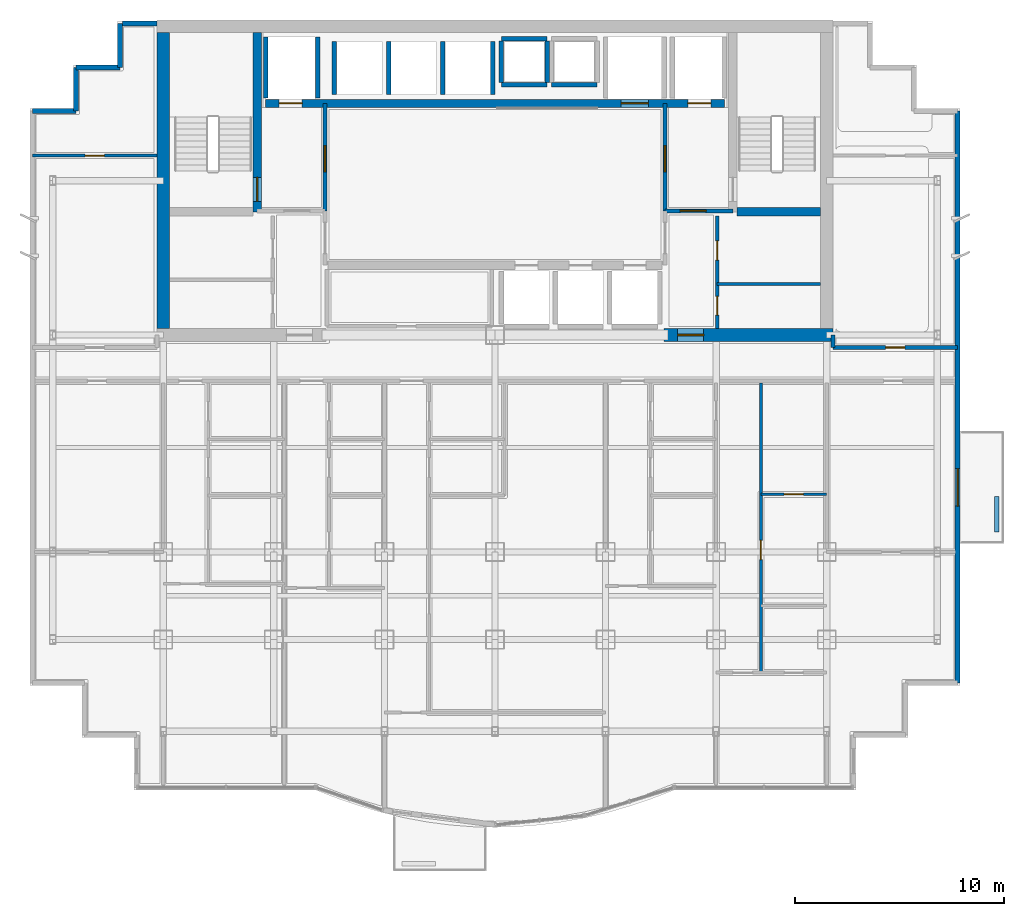
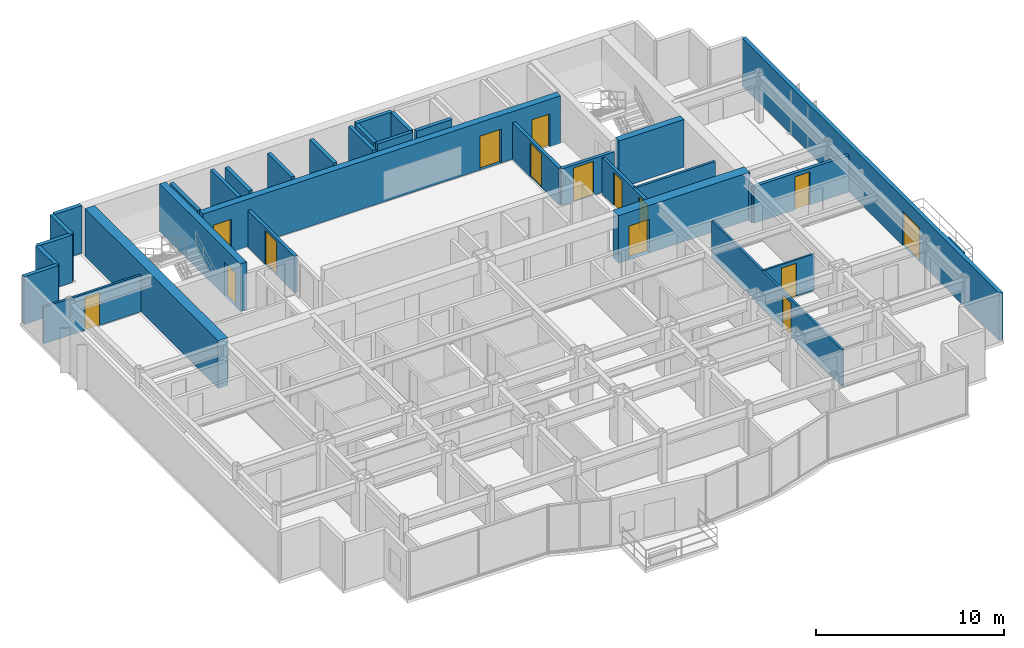
# One storey, part 8 of 11: 33 walls, 15 doors, 15 openings.
"""IFC4 building model written with IfcOpenShell, lengths in metres."""

from ifc_helpers import new_model, si_unit, direction, frame, frame_2d, origin, place, context, subcontext, project, spatial, rectangle, extrude, material, layer, layer_set, type_object, element, fill, save


model = new_model("IFC4")

# Units and contexts
model_context = context("Model", 3, precision=1e-05, world=origin(), true_north=direction((0.0, 1.0)))
body_context = subcontext(model_context, "Body", "Model", "MODEL_VIEW")
ifc_project = project(units=[si_unit("LENGTHUNIT", "METRE"), si_unit("AREAUNIT", "SQUARE_METRE"), si_unit("VOLUMEUNIT", "CUBIC_METRE"), si_unit("PLANEANGLEUNIT", "RADIAN"), si_unit("MASSUNIT", "GRAM", prefix="KILO")], contexts=[model_context])

# Site, building, storey
site_placement = place(None, origin())
site = spatial("IfcSite", under=ifc_project, at=site_placement, CompositionType="ELEMENT")
building_placement = place(site_placement, origin())
building = spatial("IfcBuilding", under=site, at=building_placement, Name="Qianlan Lanfeng Residences", CompositionType="ELEMENT")
storey_placement = place(building_placement, frame((0.0, 0.0, 145.800048828125)))
storey = spatial("IfcBuildingStorey", under=building, at=storey_placement, Name="L39", CompositionType="ELEMENT", Elevation=145.800048828125)

# Wall, opening, door
ifc_material_1 = material(Name="Concrete C56", Category="concrete")
ifc_layer_1 = layer(ifc_material_1, 0.39990234375)
ifc_layer_set_1 = layer_set([ifc_layer_1], Name="Concrete C56")
wall_type_1 = type_object("IfcWallType", Name="CW-RC-400", PredefinedType="SHEAR", material=ifc_layer_set_1)
wall_1_placement = place(storey_placement, frame((15.10009765625, 31.10009765625, 0.0), z_axis=(0.0, 0.0, 1.0), x_axis=(0.0, 1.0, 0.0)))
wall_1 = element("IfcWall", 1, at=wall_1_placement, inside=storey, type_object=wall_type_1, Name="L39 Core Shear Wall ST1E", PredefinedType="SHEAR", context=body_context, shape_type="SweptSolid", body=[
    extrude(rectangle(XDim=8.599853515625, YDim=0.39990234375, at=frame_2d((4.2998046875, 0.0))), origin(), (0.0, 0.0, 1.0), 3.099853515625),
])
opening_1_placement = place(wall_1_placement, frame((0.510009765625, 0.0, 0.0)))
opening_1 = element("IfcOpeningElement", 2, at=opening_1_placement, cuts=wall_1, Name="Opening L39-D07", PredefinedType="OPENING", context=body_context, shape_type="SweptSolid", body=[
    extrude(rectangle(XDim=1.14990234375, YDim=2.199951171875, at=frame_2d((0.574951171875, 1.10009765625))), frame((0.0, 0.2099609375, 0.0), z_axis=(0.0, -1.0, 0.0), x_axis=(1.0, 0.0, 0.0)), (0.0, 0.0, 1.0), 0.419921875),
])
ifc_material_2 = material(Name="Painted Galvanised Steel Fire Door", Category="steel")
door_type_1 = type_object("IfcDoorType", Name="DT-ST1", OperationType="NOTDEFINED", PredefinedType="DOOR", material=ifc_material_2)
door_1_placement = place(opening_1_placement, frame((1.14990234375, 0.0, 0.0), z_axis=(0.0, 0.0, 1.0), x_axis=(-1.0, 0.0, 0.0)))
door_1 = element("IfcDoor", 3, at=door_1_placement, inside=storey, type_object=door_type_1, Name="L39 Exit Stair ST-1 Door L39-D07 (DT-ST1)", OperationType="SINGLE_SWING_RIGHT", OverallHeight=2.199951171875, OverallWidth=1.14990234375, PredefinedType="DOOR", context=body_context, shape_type="SweptSolid", body=[
    extrude(rectangle(XDim=1.14990234375, YDim=2.199951171875, at=frame_2d((0.574951171875, 1.10009765625))), frame((0.0, 0.02490234375, 0.0), z_axis=(0.0, -1.0, 0.0), x_axis=(1.0, 0.0, 0.0)), (0.0, 0.0, 1.0), 0.050048828125),
])
fill(opening_1, door_1)

# Wall
wall_2_placement = place(storey_placement, frame((38.10009765625, 31.10009765625, 0.0), z_axis=(0.0, 0.0, 1.0), x_axis=(1.0, 0.0, 0.0)))
element("IfcWall", 4, at=wall_2_placement, inside=storey, type_object=wall_type_1, Name="L39 Core Shear Wall ST2S", PredefinedType="SHEAR", context=body_context, shape_type="SweptSolid", body=[
    extrude(rectangle(XDim=4.0, YDim=0.39990234375, at=frame_2d((2.0, 0.0))), origin(), (0.0, 0.0, 1.0), 3.099853515625),
])

# Wall, openings, doors
wall_3_placement = place(storey_placement, frame((15.5, 36.300048828125, 0.0), z_axis=(0.0, 0.0, 1.0), x_axis=(1.0, 0.0, 0.0)))
wall_3 = element("IfcWall", 5, at=wall_3_placement, inside=storey, type_object=wall_type_1, Name="L39 Core Shear Wall LBN", PredefinedType="SHEAR", context=body_context, shape_type="SweptSolid", body=[
    extrude(rectangle(XDim=22.0, YDim=0.39990234375, at=frame_2d((11.0, 0.0))), origin(), (0.0, 0.0, 1.0), 3.099853515625),
])
opening_2_placement = place(wall_3_placement, frame((0.64990234375, 0.0, 0.0)))
opening_2 = element("IfcOpeningElement", 6, at=opening_2_placement, cuts=wall_3, Name="Opening L39-LD-FFL-1", PredefinedType="OPENING", context=body_context, shape_type="SweptSolid", body=[
    extrude(rectangle(XDim=1.10009765625, YDim=2.14990234375, at=frame_2d((0.550048828125, 1.074951171875))), frame((0.0, 0.2099609375, 0.0), z_axis=(0.0, -1.0, 0.0), x_axis=(1.0, 0.0, 0.0)), (0.0, 0.0, 1.0), 0.419921875),
])
opening_3_placement = place(wall_3_placement, frame((20.25, 0.0, 0.0)))
opening_3 = element("IfcOpeningElement", 7, at=opening_3_placement, cuts=wall_3, Name="Opening L39-LD-FFL-2", PredefinedType="OPENING", context=body_context, shape_type="SweptSolid", body=[
    extrude(rectangle(XDim=1.10009765625, YDim=2.14990234375, at=frame_2d((0.550048828125, 1.074951171875))), frame((0.0, 0.2099609375, 0.0), z_axis=(0.0, -1.0, 0.0), x_axis=(1.0, 0.0, 0.0)), (0.0, 0.0, 1.0), 0.419921875),
])
opening_4_placement = place(wall_3_placement, frame((17.050048828125, 0.0, 0.0)))
opening_4 = element("IfcOpeningElement", 8, at=opening_4_placement, cuts=wall_3, Name="Opening L39-LD-SVL-1", PredefinedType="OPENING", context=body_context, shape_type="SweptSolid", body=[
    extrude(rectangle(XDim=1.300048828125, YDim=2.199951171875, at=frame_2d((0.64990234375, 1.10009765625))), frame((0.0, 0.2099609375, 0.0), z_axis=(0.0, -1.0, 0.0), x_axis=(1.0, 0.0, 0.0)), (0.0, 0.0, 1.0), 0.419921875),
])
ifc_material_3 = material(Name="Brushed Stainless Steel Sliding Lift Door", Category="steel")
door_type_2 = type_object("IfcDoorType", Name="LD-01", OperationType="NOTDEFINED", PredefinedType="DOOR", material=ifc_material_3)
door_2_placement = place(opening_2_placement, frame((1.10009765625, 0.0, 0.0), z_axis=(0.0, 0.0, 1.0), x_axis=(-1.0, 0.0, 0.0)))
door_2 = element("IfcDoor", 9, at=door_2_placement, inside=storey, type_object=door_type_2, Name="L39 Elevator FFL-1 Sliding Landing Door", OperationType="DOUBLE_DOOR_SLIDING", OverallHeight=2.14990234375, OverallWidth=1.10009765625, PredefinedType="DOOR", context=body_context, shape_type="SweptSolid", body=[
    extrude(rectangle(XDim=1.10009765625, YDim=2.14990234375, at=frame_2d((0.550048828125, 1.074951171875))), frame((0.0, 0.02490234375, 0.0), z_axis=(0.0, -1.0, 0.0), x_axis=(1.0, 0.0, 0.0)), (0.0, 0.0, 1.0), 0.050048828125),
])
fill(opening_2, door_2)
door_3_placement = place(opening_3_placement, frame((1.10009765625, 0.0, 0.0), z_axis=(0.0, 0.0, 1.0), x_axis=(-1.0, 0.0, 0.0)))
door_3 = element("IfcDoor", 10, at=door_3_placement, inside=storey, type_object=door_type_2, Name="L39 Elevator FFL-2 Sliding Landing Door", OperationType="DOUBLE_DOOR_SLIDING", OverallHeight=2.14990234375, OverallWidth=1.10009765625, PredefinedType="DOOR", context=body_context, shape_type="SweptSolid", body=[
    extrude(rectangle(XDim=1.10009765625, YDim=2.14990234375, at=frame_2d((0.550048828125, 1.074951171875))), frame((0.0, 0.02490234375, 0.0), z_axis=(0.0, -1.0, 0.0), x_axis=(1.0, 0.0, 0.0)), (0.0, 0.0, 1.0), 0.050048828125),
])
fill(opening_3, door_3)
door_type_3 = type_object("IfcDoorType", Name="LD-02", OperationType="NOTDEFINED", PredefinedType="DOOR", material=ifc_material_3)
door_4_placement = place(opening_4_placement, frame((1.300048828125, 0.0, 0.0), z_axis=(0.0, 0.0, 1.0), x_axis=(-1.0, 0.0, 0.0)))
door_4 = element("IfcDoor", 11, at=door_4_placement, inside=storey, type_object=door_type_3, Name="L39 Elevator SVL-1 Sliding Landing Door", OperationType="DOUBLE_DOOR_SLIDING", OverallHeight=2.199951171875, OverallWidth=1.300048828125, PredefinedType="DOOR", context=body_context, shape_type="SweptSolid", body=[
    extrude(rectangle(XDim=1.300048828125, YDim=2.199951171875, at=frame_2d((0.64990234375, 1.10009765625))), frame((0.0, 0.02490234375, 0.0), z_axis=(0.0, -1.0, 0.0), x_axis=(1.0, 0.0, 0.0)), (0.0, 0.0, 1.0), 0.050048828125),
])
fill(opening_4, door_4)

# Wall
ifc_layer_2 = layer(ifc_material_1, 0.60009765625)
ifc_layer_set_2 = layer_set([ifc_layer_2], Name="Concrete C56")
wall_type_2 = type_object("IfcWallType", Name="CW-RC-600", PredefinedType="SHEAR", material=ifc_layer_set_2)
wall_4_placement = place(storey_placement, frame((10.60009765625, 25.5, 0.0), z_axis=(0.0, 0.0, 1.0), x_axis=(0.0, 1.0, 0.0)))
element("IfcWall", 12, at=wall_4_placement, inside=storey, type_object=wall_type_2, Name="L39 Core Shear Wall W", PredefinedType="SHEAR", context=body_context, shape_type="SweptSolid", body=[
    extrude(rectangle(XDim=14.199951171875, YDim=0.60009765625, at=frame_2d((7.10009765625, 0.0))), origin(), (0.0, 0.0, 1.0), 3.099853515625),
])

# Wall, opening, door
wall_5_placement = place(storey_placement, frame((34.60009765625, 25.199951171875, 0.0), z_axis=(0.0, 0.0, 1.0), x_axis=(1.0, 0.0, 0.0)))
wall_5 = element("IfcWall", 13, at=wall_5_placement, inside=storey, type_object=wall_type_2, Name="L39 Core Shear Wall SE", PredefinedType="SHEAR", context=body_context, shape_type="SweptSolid", body=[
    extrude(rectangle(XDim=8.099853515625, YDim=0.60009765625, at=frame_2d((4.0498046875, 0.0))), origin(), (0.0, 0.0, 1.0), 3.099853515625),
])
opening_5_placement = place(wall_5_placement, frame((0.64990234375, 0.0, 0.0)))
opening_5 = element("IfcOpeningElement", 14, at=opening_5_placement, cuts=wall_5, Name="Opening L39-D02", PredefinedType="OPENING", context=body_context, shape_type="SweptSolid", body=[
    extrude(rectangle(XDim=1.25, YDim=2.199951171875, at=frame_2d((0.625, 1.10009765625))), frame((0.0, 0.31005859375, 0.0), z_axis=(0.0, -1.0, 0.0), x_axis=(1.0, 0.0, 0.0)), (0.0, 0.0, 1.0), 0.6201171875),
])
door_type_4 = type_object("IfcDoorType", Name="DT-FFL", OperationType="NOTDEFINED", PredefinedType="DOOR", material=ifc_material_2)
door_5_placement = place(opening_5_placement, frame((1.25, 0.0, 0.0), z_axis=(0.0, 0.0, 1.0), x_axis=(-1.0, 0.0, 0.0)))
door_5 = element("IfcDoor", 15, at=door_5_placement, inside=storey, type_object=door_type_4, Name="L39 East Core Lobby Smoke Door L39-D02 (DT-FFL)", OperationType="SINGLE_SWING_LEFT", OverallHeight=2.199951171875, OverallWidth=1.25, PredefinedType="DOOR", context=body_context, shape_type="SweptSolid", body=[
    extrude(rectangle(XDim=1.25, YDim=2.199951171875, at=frame_2d((0.625, 1.10009765625))), frame((0.0, 0.02490234375, 0.0), z_axis=(0.0, -1.0, 0.0), x_axis=(1.0, 0.0, 0.0)), (0.0, 0.0, 1.0), 0.050048828125),
])
fill(opening_5, door_5)

ifc_material_4 = material(Name="Concrete C42", Category="concrete")
ifc_layer_3 = layer(ifc_material_4, 0.239990234375)
ifc_layer_set_3 = layer_set([ifc_layer_3], Name="Concrete C42")
wall_type_3 = type_object("IfcWallType", Name="EW-240", PredefinedType="SOLIDWALL", material=ifc_layer_set_3)
wall_6_placement = place(storey_placement, frame((48.679931640625, 8.52001953125, 0.0), z_axis=(0.0, 0.0, 1.0), x_axis=(0.0, 1.0, 0.0)))
wall_6 = element("IfcWall", 16, at=wall_6_placement, inside=storey, type_object=wall_type_3, Name="L39 Terrace/Balcony Access Exterior Wall 10", PredefinedType="SOLIDWALL", context=body_context, shape_type="SweptSolid", body=[
    extrude(rectangle(XDim=27.409912109375, YDim=0.239990234375, at=frame_2d((13.705078125, 0.0))), origin(), (0.0, 0.0, 1.0), 3.099853515625),
])
opening_6_placement = place(wall_6_placement, frame((8.47998046875, 0.0, 0.0)))
opening_6 = element("IfcOpeningElement", 17, at=opening_6_placement, cuts=wall_6, Name="Opening L39-D-EB-S", PredefinedType="OPENING", context=body_context, shape_type="SweptSolid", body=[
    extrude(rectangle(XDim=1.800048828125, YDim=2.199951171875, at=frame_2d((0.89990234375, 1.10009765625))), frame((0.0, 0.1298828125, 0.0), z_axis=(0.0, -1.0, 0.0), x_axis=(1.0, 0.0, 0.0)), (0.0, 0.0, 1.0), 0.260009765625),
])
ifc_material_5 = material(Name="Anodised Bronze Aluminium Framed Glass", Category="aluminium")
door_type_5 = type_object("IfcDoorType", Name="DT-BAL1", OperationType="NOTDEFINED", PredefinedType="DOOR", material=ifc_material_5)
door_6_placement = place(opening_6_placement, frame((1.800048828125, 0.0, 0.0), z_axis=(0.0, 0.0, 1.0), x_axis=(-1.0, 0.0, 0.0)))
door_6 = element("IfcDoor", 18, at=door_6_placement, inside=storey, type_object=door_type_5, Name="L39 Exterior Access Door EB-S", OperationType="DOUBLE_DOOR_SLIDING", OverallHeight=2.199951171875, OverallWidth=1.800048828125, PredefinedType="DOOR", context=body_context, shape_type="SweptSolid", body=[
    extrude(rectangle(XDim=1.800048828125, YDim=2.199951171875, at=frame_2d((0.89990234375, 1.10009765625))), frame((0.0, 0.02490234375, 0.0), z_axis=(0.0, -1.0, 0.0), x_axis=(1.0, 0.0, 0.0)), (0.0, 0.0, 1.0), 0.050048828125),
])
fill(opening_6, door_6)

# Walls
wall_7_placement = place(storey_placement, frame((10.300048828125, 40.1298828125, 0.0), z_axis=(0.0, 0.0, 1.0), x_axis=(-1.0, 0.0, 0.0)))
element("IfcWall", 19, at=wall_7_placement, inside=storey, type_object=wall_type_3, Name="L39 North Wing Exterior Wall W", PredefinedType="SOLIDWALL", context=body_context, shape_type="SweptSolid", body=[
    extrude(rectangle(XDim=1.650146484375, YDim=0.239990234375, at=frame_2d((0.8251953125, 0.0))), origin(), (0.0, 0.0, 1.0), 3.099853515625),
])
wall_8_placement = place(storey_placement, frame((8.52001953125, 40.1298828125, 0.0), z_axis=(0.0, 0.0, 1.0), x_axis=(0.0, -1.0, 0.0)))
element("IfcWall", 20, at=wall_8_placement, inside=storey, type_object=wall_type_3, Name="L39 Exterior Facade Spandrel Wall 17", PredefinedType="SOLIDWALL", context=body_context, shape_type="SweptSolid", body=[
    extrude(rectangle(XDim=2.099853515625, YDim=0.239990234375, at=frame_2d((1.0498046875, 0.0))), origin(), (0.0, 0.0, 1.0), 3.099853515625),
])
for number, where, z_axis, x_axis, name in (
    (21, (8.52001953125, 38.030029296875, 0.0), (0.0, 0.0, 1.0), (-1.0, 0.0, 0.0), "L39 Exterior Facade Spandrel Wall 18"),
    (22, (6.419921875, 38.030029296875, 0.0), (0.0, 0.0, 1.0), (0.0, -1.0, 0.0), "L39 Exterior Facade Spandrel Wall 19"),
):
    element("IfcWall", number, at=place(storey_placement, frame(where, z_axis=z_axis, x_axis=x_axis)), inside=storey, type_object=wall_type_3, Name=name, PredefinedType="SOLIDWALL", context=body_context, shape_type="SweptSolid", body=[
        extrude(rectangle(XDim=2.10009765625, YDim=0.239990234375, at=frame_2d((1.050048828125, 0.0))), origin(), (0.0, 0.0, 1.0), 3.099853515625),
    ])
wall_9_placement = place(storey_placement, frame((6.419921875, 35.929931640625, 0.0), z_axis=(0.0, 0.0, 1.0), x_axis=(-1.0, 0.0, 0.0)))
element("IfcWall", 23, at=wall_9_placement, inside=storey, type_object=wall_type_3, Name="L39 Exterior Facade Spandrel Wall 20", PredefinedType="SOLIDWALL", context=body_context, shape_type="SweptSolid", body=[
    extrude(rectangle(XDim=2.099853515625, YDim=0.239990234375, at=frame_2d((1.0498046875, 0.0))), origin(), (0.0, 0.0, 1.0), 3.099853515625),
])
ifc_layer_4 = layer(ifc_material_4, 0.199951171875)
ifc_layer_set_4 = layer_set([ifc_layer_4], Name="Concrete C42")
wall_type_4 = type_object("IfcWallType", Name="PL-TREE-200", PredefinedType="PARAPET", material=ifc_layer_set_4)
wall_10_placement = place(storey_placement, frame((50.550048828125, 15.75, 0.0), z_axis=(0.0, 0.0, 1.0), x_axis=(0.0, 1.0, 0.0)))
element("IfcWall", 24, at=wall_10_placement, inside=storey, type_object=wall_type_4, Name="L39 East Tree Planter Curb EB-S", PredefinedType="PARAPET", context=body_context, shape_type="SweptSolid", body=[
    extrude(rectangle(XDim=1.699951171875, YDim=0.199951171875, at=frame_2d((0.85009765625, 0.0))), origin(), (0.0, 0.0, 1.0), 0.64990234375),
])

# Wall, opening, door
ifc_material_6 = material(Name="Demountable Acoustic Framing Partition 110 mm")
ifc_layer_5 = layer(ifc_material_6, 0.110107421875)
ifc_layer_set_5 = layer_set([ifc_layer_5], Name="Demountable Acoustic Framing Partition 110 mm")
wall_type_5 = type_object("IfcWallType", Name="PW-110", PredefinedType="MOVABLE", material=ifc_layer_set_5)
wall_11_placement = place(storey_placement, frame((39.25, 17.56005859375, 0.0), z_axis=(0.0, 0.0, 1.0), x_axis=(1.0, 0.0, 0.0)))
wall_11 = element("IfcWall", 25, at=wall_11_placement, inside=storey, type_object=wall_type_5, Name="L39 U04 Wardrobe Split", PredefinedType="MOVABLE", context=body_context, shape_type="SweptSolid", body=[
    extrude(rectangle(XDim=3.14990234375, YDim=0.110107421875, at=frame_2d((1.574951171875, 0.0))), origin(), (0.0, 0.0, 1.0), 2.3798828125),
])
opening_7_placement = place(wall_11_placement, frame((1.114990234375, 0.0, 0.0)))
opening_7 = element("IfcOpeningElement", 26, at=opening_7_placement, cuts=wall_11, Name="Opening L39-D40", PredefinedType="OPENING", context=body_context, shape_type="SweptSolid", body=[
    extrude(rectangle(XDim=0.919921875, YDim=2.14990234375, at=frame_2d((0.4599609375, 1.074951171875))), frame((0.0, 0.06494140625, 0.0), z_axis=(0.0, -1.0, 0.0), x_axis=(1.0, 0.0, 0.0)), (0.0, 0.0, 1.0), 0.130126953125),
])
ifc_material_7 = material(Name="Glazed Timber Kitchen/Study Door", Category="wood")
door_type_6 = type_object("IfcDoorType", Name="DT-INT", OperationType="NOTDEFINED", PredefinedType="DOOR", material=ifc_material_7)
door_7_placement = place(opening_7_placement, origin())
door_7 = element("IfcDoor", 27, at=door_7_placement, inside=storey, type_object=door_type_6, Name="L39 U04 Dressing Inner Door L39-D40 (DT-INT)", OperationType="SINGLE_SWING_RIGHT", OverallHeight=2.14990234375, OverallWidth=0.919921875, PredefinedType="DOOR", context=body_context, shape_type="SweptSolid", body=[
    extrude(rectangle(XDim=0.919921875, YDim=2.14990234375, at=frame_2d((0.4599609375, 1.074951171875))), frame((0.0, 0.02490234375, 0.0), z_axis=(0.0, -1.0, 0.0), x_axis=(1.0, 0.0, 0.0)), (0.0, 0.0, 1.0), 0.050048828125),
])
fill(opening_7, door_7)

ifc_material_8 = material(Name="Moisture-Resistant Gypsum Partition 135 mm")
ifc_layer_6 = layer(ifc_material_8, 0.135009765625)
ifc_layer_set_6 = layer_set([ifc_layer_6], Name="Moisture-Resistant Gypsum Partition 135 mm")
wall_type_6 = type_object("IfcWallType", Name="PW-135", PredefinedType="PARTITIONING", material=ifc_layer_set_6)
wall_12_placement = place(storey_placement, frame((39.25, 9.02001953125, 0.0), z_axis=(0.0, 0.0, 1.0), x_axis=(0.0, 1.0, 0.0)))
wall_12 = element("IfcWall", 28, at=wall_12_placement, inside=storey, type_object=wall_type_6, Name="L39 U04 Master Passage Wall", PredefinedType="PARTITIONING", context=body_context, shape_type="SweptSolid", body=[
    extrude(rectangle(XDim=13.8798828125, YDim=0.135009765625, at=frame_2d((6.93994140625, 0.0))), origin(), (0.0, 0.0, 1.0), 2.3798828125),
])
opening_8_placement = place(wall_12_placement, frame((5.409912109375, 0.0, 0.0)))
opening_8 = element("IfcOpeningElement", 29, at=opening_8_placement, cuts=wall_12, Name="Opening L39-D39", PredefinedType="OPENING", context=body_context, shape_type="SweptSolid", body=[
    extrude(rectangle(XDim=0.919921875, YDim=2.14990234375, at=frame_2d((0.4599609375, 1.074951171875))), frame((0.0, 0.07763671875, 0.0), z_axis=(0.0, -1.0, 0.0), x_axis=(1.0, 0.0, 0.0)), (0.0, 0.0, 1.0), 0.155029296875),
])
door_8_placement = place(opening_8_placement, origin())
door_8 = element("IfcDoor", 30, at=door_8_placement, inside=storey, type_object=door_type_6, Name="L39 U04 Wardrobe Door L39-D39 (DT-INT)", OperationType="SINGLE_SWING_LEFT", OverallHeight=2.14990234375, OverallWidth=0.919921875, PredefinedType="DOOR", context=body_context, shape_type="SweptSolid", body=[
    extrude(rectangle(XDim=0.919921875, YDim=2.14990234375, at=frame_2d((0.4599609375, 1.074951171875))), frame((0.0, 0.02490234375, 0.0), z_axis=(0.0, -1.0, 0.0), x_axis=(1.0, 0.0, 0.0)), (0.0, 0.0, 1.0), 0.050048828125),
])
fill(opening_8, door_8)

wall_13_placement = place(storey_placement, frame((4.320068359375, 33.800048828125, 0.0), z_axis=(0.0, 0.0, 1.0), x_axis=(1.0, 0.0, 0.0)))
wall_13 = element("IfcWall", 31, at=wall_13_placement, inside=storey, type_object=wall_type_6, Name="L39 WW North Wing Wall", PredefinedType="PARTITIONING", context=body_context, shape_type="SweptSolid", body=[
    extrude(rectangle(XDim=5.97998046875, YDim=0.135009765625, at=frame_2d((2.989990234375, 0.0))), origin(), (0.0, 0.0, 1.0), 2.3798828125),
])
opening_9_placement = place(wall_13_placement, frame((2.530029296875, 0.0, 0.0)))
opening_9 = element("IfcOpeningElement", 32, at=opening_9_placement, cuts=wall_13, Name="Opening L39-D45", PredefinedType="OPENING", context=body_context, shape_type="SweptSolid", body=[
    extrude(rectangle(XDim=0.919921875, YDim=2.14990234375, at=frame_2d((0.4599609375, 1.074951171875))), frame((0.0, 0.07763671875, 0.0), z_axis=(0.0, -1.0, 0.0), x_axis=(1.0, 0.0, 0.0)), (0.0, 0.0, 1.0), 0.155029296875),
])
door_9_placement = place(opening_9_placement, origin())
door_9 = element("IfcDoor", 33, at=door_9_placement, inside=storey, type_object=door_type_6, Name="L39 WW Inner Salon Door L39-D45 (DT-INT)", OperationType="SINGLE_SWING_LEFT", OverallHeight=2.14990234375, OverallWidth=0.919921875, PredefinedType="DOOR", context=body_context, shape_type="SweptSolid", body=[
    extrude(rectangle(XDim=0.919921875, YDim=2.14990234375, at=frame_2d((0.4599609375, 1.074951171875))), frame((0.0, 0.02490234375, 0.0), z_axis=(0.0, -1.0, 0.0), x_axis=(1.0, 0.0, 0.0)), (0.0, 0.0, 1.0), 0.050048828125),
])
fill(opening_9, door_9)

# Wall
ifc_material_9 = material(Name="Acoustic Drywall Partition 150 mm")
ifc_layer_7 = layer(ifc_material_9, 0.14990234375)
ifc_layer_set_7 = layer_set([ifc_layer_7], Name="Acoustic Drywall Partition 150 mm")
wall_type_7 = type_object("IfcWallType", Name="PW-150", PredefinedType="PARTITIONING", material=ifc_layer_set_7)
wall_14_placement = place(storey_placement, frame((37.14990234375, 27.64990234375, 0.0), z_axis=(0.0, 0.0, 1.0), x_axis=(1.0, 0.0, 0.0)))
element("IfcWall", 34, at=wall_14_placement, inside=storey, type_object=wall_type_7, Name="L39 Core East Split", PredefinedType="PARTITIONING", context=body_context, shape_type="SweptSolid", body=[
    extrude(rectangle(XDim=4.9501953125, YDim=0.14990234375, at=frame_2d((2.47509765625, 0.0))), origin(), (0.0, 0.0, 1.0), 2.3798828125),
])

# Wall, openings, doors
ifc_material_10 = material(Name="Double-Layer Acoustic Gypsum Stud Wall 180 mm")
ifc_layer_8 = layer(ifc_material_10, 0.179931640625)
ifc_layer_set_8 = layer_set([ifc_layer_8], Name="Double-Layer Acoustic Gypsum Stud Wall 180 mm")
wall_type_8 = type_object("IfcWallType", Name="PW-180", PredefinedType="PARTITIONING", material=ifc_layer_set_8)
wall_15_placement = place(storey_placement, frame((37.14990234375, 25.5, 0.0), z_axis=(0.0, 0.0, 1.0), x_axis=(0.0, 1.0, 0.0)))
wall_15 = element("IfcWall", 35, at=wall_15_placement, inside=storey, type_object=wall_type_8, Name="L39 Core East Service Room Wall", PredefinedType="PARTITIONING", context=body_context, shape_type="SweptSolid", body=[
    extrude(rectangle(XDim=5.39990234375, YDim=0.179931640625, at=frame_2d((2.699951171875, 0.0))), origin(), (0.0, 0.0, 1.0), 2.3798828125),
])
opening_10_placement = place(wall_15_placement, frame((0.64990234375, 0.0, 0.0)))
opening_10 = element("IfcOpeningElement", 36, at=opening_10_placement, cuts=wall_15, Name="Opening L39-D11", PredefinedType="OPENING", context=body_context, shape_type="SweptSolid", body=[
    extrude(rectangle(XDim=0.89990234375, YDim=2.14990234375, at=frame_2d((0.449951171875, 1.074951171875))), frame((0.0, 0.10009765625, 0.0), z_axis=(0.0, -1.0, 0.0), x_axis=(1.0, 0.0, 0.0)), (0.0, 0.0, 1.0), 0.199951171875),
])
opening_11_placement = place(wall_15_placement, frame((3.2900390625, 0.0, 0.0)))
opening_11 = element("IfcOpeningElement", 37, at=opening_11_placement, cuts=wall_15, Name="Opening L39-D12", PredefinedType="OPENING", context=body_context, shape_type="SweptSolid", body=[
    extrude(rectangle(XDim=0.919921875, YDim=2.14990234375, at=frame_2d((0.4599609375, 1.074951171875))), frame((0.0, 0.10009765625, 0.0), z_axis=(0.0, -1.0, 0.0), x_axis=(1.0, 0.0, 0.0)), (0.0, 0.0, 1.0), 0.199951171875),
])
door_10_placement = place(opening_11_placement, origin())
door_10 = element("IfcDoor", 38, at=door_10_placement, inside=storey, type_object=door_type_6, Name="L39 Refuse Room Door L39-D12 (DT-INT)", OperationType="SINGLE_SWING_RIGHT", OverallHeight=2.14990234375, OverallWidth=0.919921875, PredefinedType="DOOR", context=body_context, shape_type="SweptSolid", body=[
    extrude(rectangle(XDim=0.919921875, YDim=2.14990234375, at=frame_2d((0.4599609375, 1.074951171875))), frame((0.0, 0.02490234375, 0.0), z_axis=(0.0, -1.0, 0.0), x_axis=(1.0, 0.0, 0.0)), (0.0, 0.0, 1.0), 0.050048828125),
])
fill(opening_11, door_10)
ifc_material_11 = material(Name="Moisture-Resistant Timber Leaf", Category="wood")
door_type_7 = type_object("IfcDoorType", Name="DT-WC", OperationType="NOTDEFINED", PredefinedType="DOOR", material=ifc_material_11)
door_11_placement = place(opening_10_placement, origin())
door_11 = element("IfcDoor", 39, at=door_11_placement, inside=storey, type_object=door_type_7, Name="L39 Core WC Door L39-D11 (DT-WC)", OperationType="SINGLE_SWING_LEFT", OverallHeight=2.14990234375, OverallWidth=0.89990234375, PredefinedType="DOOR", context=body_context, shape_type="SweptSolid", body=[
    extrude(rectangle(XDim=0.89990234375, YDim=2.14990234375, at=frame_2d((0.449951171875, 1.074951171875))), frame((0.0, 0.02490234375, 0.0), z_axis=(0.0, -1.0, 0.0), x_axis=(1.0, 0.0, 0.0)), (0.0, 0.0, 1.0), 0.050048828125),
])
fill(opening_10, door_11)

# Wall, opening, door
ifc_material_12 = material(Name="Autoclaved Aerated Concrete Blockwork 200 mm", Category="masonry")
ifc_layer_9 = layer(ifc_material_12, 0.199951171875)
ifc_layer_set_9 = layer_set([ifc_layer_9], Name="Autoclaved Aerated Concrete Blockwork 200 mm")
wall_type_9 = type_object("IfcWallType", Name="PW-200", PredefinedType="PARTITIONING", material=ifc_layer_set_9)
wall_16_placement = place(storey_placement, frame((18.35009765625, 31.14990234375, 0.0), z_axis=(0.0, 0.0, 1.0), x_axis=(0.0, 1.0, 0.0)))
wall_16 = element("IfcWall", 40, at=wall_16_placement, inside=storey, type_object=wall_type_9, Name="L39 Firefighting Lobby 1 East Wall", PredefinedType="PARTITIONING", context=body_context, shape_type="SweptSolid", body=[
    extrude(rectangle(XDim=5.150146484375, YDim=0.199951171875, at=frame_2d((2.5751953125, 0.0))), origin(), (0.0, 0.0, 1.0), 2.3798828125),
])
opening_12_placement = place(wall_16_placement, frame((1.875, 0.0, 0.0)))
opening_12 = element("IfcOpeningElement", 41, at=opening_12_placement, cuts=wall_16, Name="Opening L39-D04", PredefinedType="OPENING", context=body_context, shape_type="SweptSolid", body=[
    extrude(rectangle(XDim=1.25, YDim=2.199951171875, at=frame_2d((0.625, 1.10009765625))), frame((0.0, 0.10986328125, 0.0), z_axis=(0.0, -1.0, 0.0), x_axis=(1.0, 0.0, 0.0)), (0.0, 0.0, 1.0), 0.219970703125),
])
door_12_placement = place(opening_12_placement, origin())
door_12 = element("IfcDoor", 42, at=door_12_placement, inside=storey, type_object=door_type_4, Name="L39 Firefighting Lobby 1 Lift Lobby Door L39-D04 (DT-FFL)", OperationType="SINGLE_SWING_RIGHT", OverallHeight=2.199951171875, OverallWidth=1.25, PredefinedType="DOOR", context=body_context, shape_type="SweptSolid", body=[
    extrude(rectangle(XDim=1.25, YDim=2.199951171875, at=frame_2d((0.625, 1.10009765625))), frame((0.0, 0.02490234375, 0.0), z_axis=(0.0, -1.0, 0.0), x_axis=(1.0, 0.0, 0.0)), (0.0, 0.0, 1.0), 0.050048828125),
])
fill(opening_12, door_12)

wall_17_placement = place(storey_placement, frame((34.64990234375, 31.14990234375, 0.0), z_axis=(0.0, 0.0, 1.0), x_axis=(1.0, 0.0, 0.0)))
wall_17 = element("IfcWall", 43, at=wall_17_placement, inside=storey, type_object=wall_type_9, Name="L39 Firefighting Lobby 2 South Wall", PredefinedType="PARTITIONING", context=body_context, shape_type="SweptSolid", body=[
    extrude(rectangle(XDim=3.25, YDim=0.199951171875, at=frame_2d((1.625, 0.0))), origin(), (0.0, 0.0, 1.0), 2.3798828125),
])
opening_13_placement = place(wall_17_placement, frame((0.72509765625, 0.0, 0.0)))
opening_13 = element("IfcOpeningElement", 44, at=opening_13_placement, cuts=wall_17, Name="Opening L39-D05", PredefinedType="OPENING", context=body_context, shape_type="SweptSolid", body=[
    extrude(rectangle(XDim=1.25, YDim=2.199951171875, at=frame_2d((0.625, 1.10009765625))), frame((0.0, 0.10986328125, 0.0), z_axis=(0.0, -1.0, 0.0), x_axis=(1.0, 0.0, 0.0)), (0.0, 0.0, 1.0), 0.219970703125),
])
door_13_placement = place(opening_13_placement, origin())
door_13 = element("IfcDoor", 45, at=door_13_placement, inside=storey, type_object=door_type_4, Name="L39 Firefighting Lobby 2 Entry Door L39-D05 (DT-FFL)", OperationType="SINGLE_SWING_RIGHT", OverallHeight=2.199951171875, OverallWidth=1.25, PredefinedType="DOOR", context=body_context, shape_type="SweptSolid", body=[
    extrude(rectangle(XDim=1.25, YDim=2.199951171875, at=frame_2d((0.625, 1.10009765625))), frame((0.0, 0.02490234375, 0.0), z_axis=(0.0, -1.0, 0.0), x_axis=(1.0, 0.0, 0.0)), (0.0, 0.0, 1.0), 0.050048828125),
])
fill(opening_13, door_13)

wall_18_placement = place(storey_placement, frame((34.64990234375, 31.14990234375, 0.0), z_axis=(0.0, 0.0, 1.0), x_axis=(0.0, 1.0, 0.0)))
wall_18 = element("IfcWall", 46, at=wall_18_placement, inside=storey, type_object=wall_type_9, Name="L39 Firefighting Lobby 2 West Wall", PredefinedType="PARTITIONING", context=body_context, shape_type="SweptSolid", body=[
    extrude(rectangle(XDim=5.150146484375, YDim=0.199951171875, at=frame_2d((2.5751953125, 0.0))), origin(), (0.0, 0.0, 1.0), 2.3798828125),
])
opening_14_placement = place(wall_18_placement, frame((1.875, 0.0, 0.0)))
opening_14 = element("IfcOpeningElement", 47, at=opening_14_placement, cuts=wall_18, Name="Opening L39-D06", PredefinedType="OPENING", context=body_context, shape_type="SweptSolid", body=[
    extrude(rectangle(XDim=1.25, YDim=2.199951171875, at=frame_2d((0.625, 1.10009765625))), frame((0.0, 0.10986328125, 0.0), z_axis=(0.0, -1.0, 0.0), x_axis=(1.0, 0.0, 0.0)), (0.0, 0.0, 1.0), 0.219970703125),
])
door_14_placement = place(opening_14_placement, origin())
door_14 = element("IfcDoor", 48, at=door_14_placement, inside=storey, type_object=door_type_4, Name="L39 Firefighting Lobby 2 Lift Lobby Door L39-D06 (DT-FFL)", OperationType="SINGLE_SWING_RIGHT", OverallHeight=2.199951171875, OverallWidth=1.25, PredefinedType="DOOR", context=body_context, shape_type="SweptSolid", body=[
    extrude(rectangle(XDim=1.25, YDim=2.199951171875, at=frame_2d((0.625, 1.10009765625))), frame((0.0, 0.02490234375, 0.0), z_axis=(0.0, -1.0, 0.0), x_axis=(1.0, 0.0, 0.0)), (0.0, 0.0, 1.0), 0.050048828125),
])
fill(opening_14, door_14)

wall_19_placement = place(storey_placement, frame((42.699951171875, 24.60009765625, 0.0), z_axis=(0.0, 0.0, 1.0), x_axis=(1.0, 0.0, 0.0)))
wall_19 = element("IfcWall", 49, at=wall_19_placement, inside=storey, type_object=wall_type_9, Name="L39 Corridor NE Wall", PredefinedType="PARTITIONING", context=body_context, shape_type="SweptSolid", body=[
    extrude(rectangle(XDim=5.97998046875, YDim=0.199951171875, at=frame_2d((2.989990234375, 0.0))), origin(), (0.0, 0.0, 1.0), 2.3798828125),
])
opening_15_placement = place(wall_19_placement, frame((2.530029296875, 0.0, 0.0)))
opening_15 = element("IfcOpeningElement", 50, at=opening_15_placement, cuts=wall_19, Name="Opening L39-D48", PredefinedType="OPENING", context=body_context, shape_type="SweptSolid", body=[
    extrude(rectangle(XDim=0.919921875, YDim=2.14990234375, at=frame_2d((0.4599609375, 1.074951171875))), frame((0.0, 0.10986328125, 0.0), z_axis=(0.0, -1.0, 0.0), x_axis=(1.0, 0.0, 0.0)), (0.0, 0.0, 1.0), 0.219970703125),
])
door_15_placement = place(opening_15_placement, origin())
door_15 = element("IfcDoor", 51, at=door_15_placement, inside=storey, type_object=door_type_6, Name="L39 EW Amenity Salon Door L39-D48 (DT-INT)", OperationType="SINGLE_SWING_RIGHT", OverallHeight=2.14990234375, OverallWidth=0.919921875, PredefinedType="DOOR", context=body_context, shape_type="SweptSolid", body=[
    extrude(rectangle(XDim=0.919921875, YDim=2.14990234375, at=frame_2d((0.4599609375, 1.074951171875))), frame((0.0, 0.02490234375, 0.0), z_axis=(0.0, -1.0, 0.0), x_axis=(1.0, 0.0, 0.0)), (0.0, 0.0, 1.0), 0.050048828125),
])
fill(opening_15, door_15)

# Walls
wall_20_placement = place(storey_placement, frame((42.699951171875, 24.60009765625, 0.0), z_axis=(0.0, 0.0, 1.0), x_axis=(0.0, 1.0, 0.0)))
element("IfcWall", 52, at=wall_20_placement, inside=storey, type_object=wall_type_9, Name="L39 NE Wing Core Return Wall", PredefinedType="PARTITIONING", context=body_context, shape_type="SweptSolid", body=[
    extrude(rectangle(XDim=0.599853515625, YDim=0.199951171875, at=frame_2d((0.2998046875, 0.0))), origin(), (0.0, 0.0, 1.0), 2.3798828125),
])
ifc_material_13 = material(Name="Concrete C49", Category="concrete")
ifc_layer_10 = layer(ifc_material_13, 0.219970703125)
ifc_layer_set_10 = layer_set([ifc_layer_10], Name="Concrete C49")
wall_type_10 = type_object("IfcWallType", Name="SHW-220", PredefinedType="SOLIDWALL", material=ifc_layer_set_10)
for number, where, z_axis, x_axis, name in (
    (53, (15.52001953125, 36.550048828125, 0.0), (0.0, 0.0, 1.0), (0.0, 1.0, 0.0), "L39 Lift FFL-1 Shaft Wall W"),
    (54, (18.0, 36.550048828125, 0.0), (0.0, 0.0, 1.0), (0.0, 1.0, 0.0), "L39 Lift FFL-1 Shaft Wall E"),
):
    element("IfcWall", number, at=place(storey_placement, frame(where, z_axis=z_axis, x_axis=x_axis)), inside=storey, type_object=wall_type_10, Name=name, PredefinedType="SOLIDWALL", context=body_context, shape_type="SweptSolid", body=[
        extrude(rectangle(XDim=2.929931640625, YDim=0.219970703125, at=frame_2d((1.46484375, 0.0))), origin(), (0.0, 0.0, 1.0), 3.099853515625),
    ])
for number, where, z_axis, x_axis, name in (
    (55, (18.800048828125, 36.719970703125, 0.0), (0.0, 0.0, 1.0), (0.0, 1.0, 0.0), "L39 Lift PL-H1 Shaft Wall W"),
    (56, (21.39990234375, 36.719970703125, 0.0), (0.0, 0.0, 1.0), (0.0, 1.0, 0.0), "L39 Lift PL-H2 Shaft Wall W"),
    (57, (24.0, 36.719970703125, 0.0), (0.0, 0.0, 1.0), (0.0, 1.0, 0.0), "L39 Lift PL-H3 Shaft Wall W"),
    (58, (26.39990234375, 36.719970703125, 0.0), (0.0, 0.0, 1.0), (0.0, 1.0, 0.0), "L39 Lift PL-H3 Shaft Wall E"),
):
    element("IfcWall", number, at=place(storey_placement, frame(where, z_axis=z_axis, x_axis=x_axis)), inside=storey, type_object=wall_type_10, Name=name, PredefinedType="SOLIDWALL", context=body_context, shape_type="SweptSolid", body=[
        extrude(rectangle(XDim=2.56005859375, YDim=0.219970703125, at=frame_2d((1.280029296875, 0.0))), origin(), (0.0, 0.0, 1.0), 3.099853515625),
    ])
for number, where, z_axis, x_axis, name in (
    (59, (26.800048828125, 37.31005859375, 0.0), (0.0, 0.0, 1.0), (0.0, 1.0, 0.0), "L39 MEP Riser MEP-R1 Shaft Wall W"),
    (60, (29.0, 37.31005859375, 0.0), (0.0, 0.0, 1.0), (0.0, 1.0, 0.0), "L39 MEP Riser MEP-R1 Shaft Wall E"),
):
    element("IfcWall", number, at=place(storey_placement, frame(where, z_axis=z_axis, x_axis=x_axis)), inside=storey, type_object=wall_type_10, Name=name, PredefinedType="SOLIDWALL", context=body_context, shape_type="SweptSolid", body=[
        extrude(rectangle(XDim=1.97998046875, YDim=0.219970703125, at=frame_2d((0.989990234375, 0.0))), origin(), (0.0, 0.0, 1.0), 3.099853515625),
    ])
for number, where, z_axis, x_axis, name in (
    (61, (26.800048828125, 39.39990234375, 0.0), (0.0, 0.0, 1.0), (1.0, 0.0, 0.0), "L39 MEP Riser MEP-R1 Shaft Wall N"),
    (62, (26.800048828125, 37.199951171875, 0.0), (0.0, 0.0, 1.0), (1.0, 0.0, 0.0), "L39 MEP Riser MEP-R1 Shaft Wall S"),
    (63, (29.199951171875, 37.199951171875, 0.0), (0.0, 0.0, 1.0), (1.0, 0.0, 0.0), "L39 MEP Riser MEP-R2 Shaft Wall S"),
):
    element("IfcWall", number, at=place(storey_placement, frame(where, z_axis=z_axis, x_axis=x_axis)), inside=storey, type_object=wall_type_10, Name=name, PredefinedType="SOLIDWALL", context=body_context, shape_type="SweptSolid", body=[
        extrude(rectangle(XDim=2.199951171875, YDim=0.219970703125, at=frame_2d((1.10009765625, 0.0))), origin(), (0.0, 0.0, 1.0), 3.099853515625),
    ])

save(model, "model.ifc")
